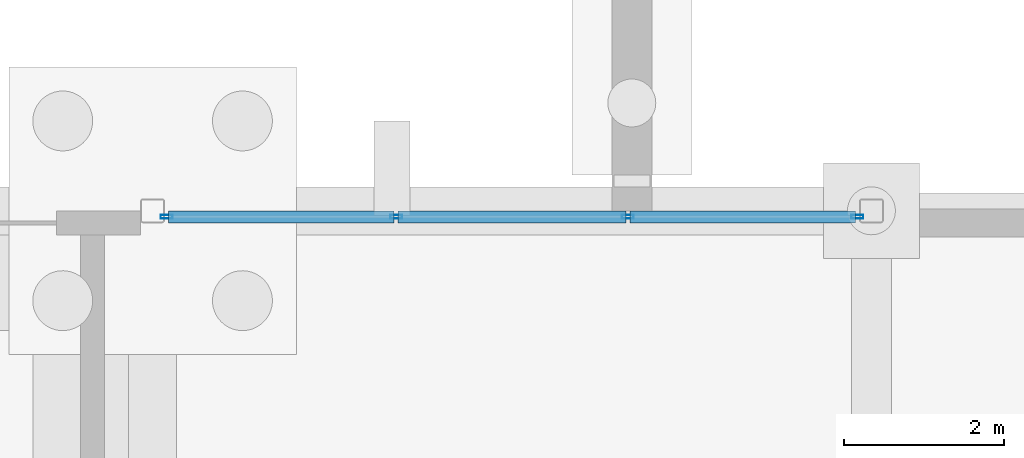
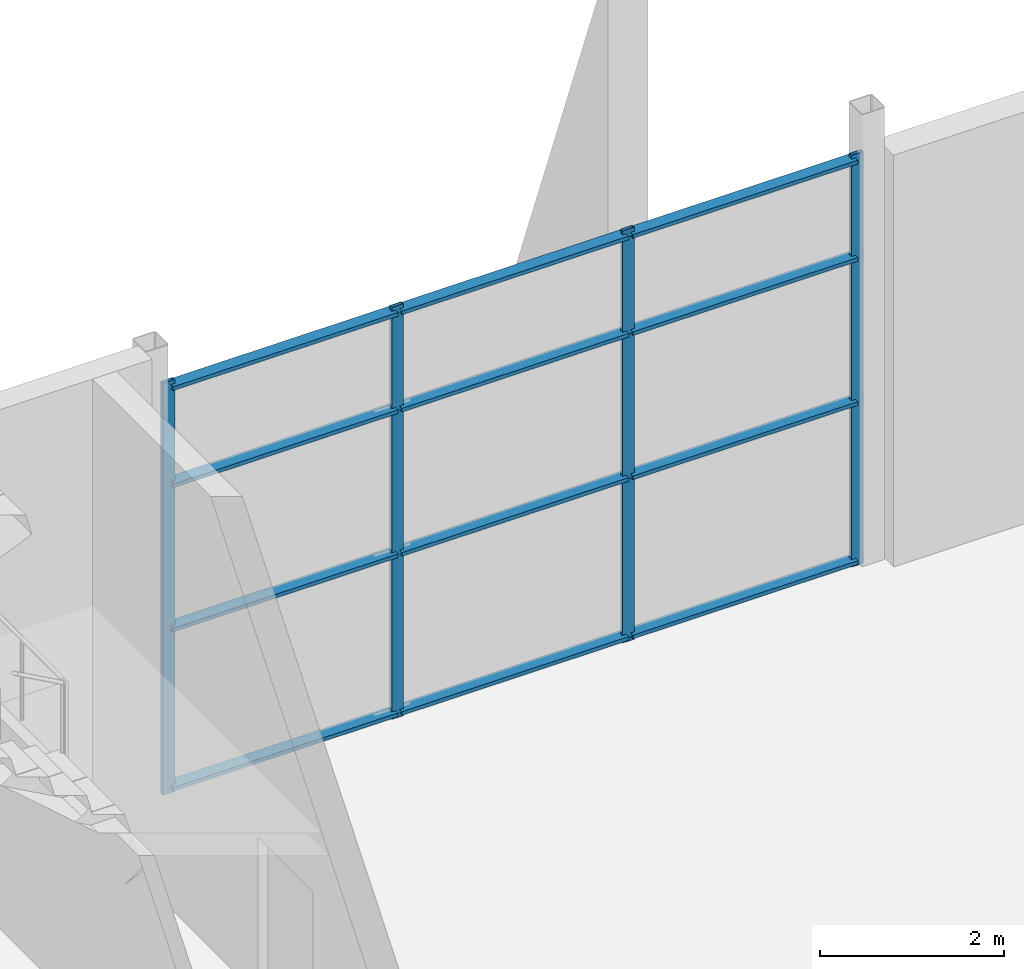
# One storey, part 53 of 139: 16 members, 1 element without a shape of its own.
"""IFC4 building model written with IfcOpenShell, lengths in metres."""

from ifc_helpers import new_model, si_unit, direction, frame, origin, origin_2d, place, context, subcontext, project, spatial, hollow_rectangle, extrude, material, layer, layer_set, material_profile, profile_set, type_object, element, aggregate, save


model = new_model("IFC4")

# Units and contexts
model_context = context("Model", 3, precision=1e-05, world=origin(), true_north=direction((0.0, 1.0)))
body_context = subcontext(model_context, "Body", "Model", "MODEL_VIEW")
ifc_project = project(units=[si_unit("LENGTHUNIT", "METRE"), si_unit("AREAUNIT", "SQUARE_METRE"), si_unit("VOLUMEUNIT", "CUBIC_METRE"), si_unit("PLANEANGLEUNIT", "RADIAN"), si_unit("MASSUNIT", "GRAM", prefix="KILO")], contexts=[model_context])

# Site, building, storey
site_placement = place(None, origin())
site = spatial("IfcSite", under=ifc_project, at=site_placement, CompositionType="ELEMENT")
building_placement = place(site_placement, origin())
building = spatial("IfcBuilding", under=site, at=building_placement, Name="Shorebreak Coast Museum", CompositionType="ELEMENT")
storey_placement = place(building_placement, origin())
storey = spatial("IfcBuildingStorey", under=building, at=storey_placement, Name="L00", CompositionType="ELEMENT", Elevation=0.0)

# Curtain wall, members
ifc_material_1 = material(Name="Aluminium", Category="aluminium")
ifc_layer = layer(ifc_material_1, 0.14990234375)
ifc_layer_set = layer_set([ifc_layer], Name="Aluminium")
curtain_wall_type = type_object("IfcCurtainWallType", Name="Storefront curtain wall", PredefinedType="NOTDEFINED", material=ifc_layer_set)
curtain_wall_placement = place(storey_placement, origin())
curtain_wall = element("IfcCurtainWall", 1, at=curtain_wall_placement, inside=storey, type_object=curtain_wall_type, Name="Storefront L00 N 1", PredefinedType="NOTDEFINED")
ifc_material_2 = material(Name="Aluminium", Category="aluminium")
ifc_material_profile_1 = material_profile(ifc_material_2, hollow_rectangle(XDim=0.050048828125, YDim=0.14990234375, WallThickness=0.00390625, at=origin_2d()), Name="AL 150x50 RHS")
ifc_profile_set_1 = profile_set([ifc_material_profile_1], Name="Aluminium")
member_type_1 = type_object("IfcMemberType", Name="Storefront mullion 50 x 150", PredefinedType="MULLION", material=ifc_profile_set_1)
member_1_placement = place(storey_placement, frame((9.175048828125, 89.925048828125, 0.0), z_axis=(0.0, 0.0, 1.0), x_axis=(0.0, 1.0, 0.0)))
member_1 = element("IfcMember", 2, at=member_1_placement, type_object=member_type_1, Name="CW8 mullion 1", PredefinedType="MULLION", context=body_context, shape_type="SweptSolid", body=[
    extrude(hollow_rectangle(XDim=0.050048828125, YDim=0.14990234375, WallThickness=0.00390625, at=origin_2d()), origin(), (0.0, 0.0, 1.0), 5.469482421875),
])
member_2_placement = place(storey_placement, frame((12.050048828125, 89.925048828125, 0.0), z_axis=(0.0, 0.0, 1.0), x_axis=(0.0, 1.0, 0.0)))
member_2 = element("IfcMember", 3, at=member_2_placement, type_object=member_type_1, Name="CW8 mullion 2", PredefinedType="MULLION", context=body_context, shape_type="SweptSolid", body=[
    extrude(hollow_rectangle(XDim=0.050048828125, YDim=0.14990234375, WallThickness=0.00390625, at=origin_2d()), origin(), (0.0, 0.0, 1.0), 5.469482421875),
])
member_3_placement = place(storey_placement, frame((14.949951171875, 89.925048828125, 0.0), z_axis=(0.0, 0.0, 1.0), x_axis=(0.0, 1.0, 0.0)))
member_3 = element("IfcMember", 4, at=member_3_placement, type_object=member_type_1, Name="CW8 mullion 3", PredefinedType="MULLION", context=body_context, shape_type="SweptSolid", body=[
    extrude(hollow_rectangle(XDim=0.050048828125, YDim=0.14990234375, WallThickness=0.00390625, at=origin_2d()), origin(), (0.0, 0.0, 1.0), 5.469482421875),
])
member_4_placement = place(storey_placement, frame((17.824951171875, 89.925048828125, 0.0), z_axis=(0.0, 0.0, 1.0), x_axis=(0.0, 1.0, 0.0)))
member_4 = element("IfcMember", 5, at=member_4_placement, type_object=member_type_1, Name="CW8 mullion 4", PredefinedType="MULLION", context=body_context, shape_type="SweptSolid", body=[
    extrude(hollow_rectangle(XDim=0.050048828125, YDim=0.14990234375, WallThickness=0.00390625, at=origin_2d()), origin(), (0.0, 0.0, 1.0), 5.469482421875),
])
ifc_material_3 = material(Name="Aluminium", Category="aluminium")
ifc_material_profile_2 = material_profile(ifc_material_3, hollow_rectangle(XDim=0.14990234375, YDim=0.050048828125, WallThickness=0.00390625, at=origin_2d()), Name="AL 50x150 RHS")
ifc_profile_set_2 = profile_set([ifc_material_profile_2], Name="Aluminium")
member_type_2 = type_object("IfcMemberType", Name="Storefront transom 150 x 50", PredefinedType="USERDEFINED", material=ifc_profile_set_2)
member_5_placement = place(storey_placement, frame((9.199951171875, 89.925048828125, 0.074951171875), z_axis=(1.0, 0.0, 0.0), x_axis=(0.0, 1.0, 0.0)))
member_5 = element("IfcMember", 6, at=member_5_placement, type_object=member_type_2, Name="CW8 transom 1.1", ObjectType="TRANSOM", PredefinedType="USERDEFINED", context=body_context, shape_type="SweptSolid", body=[
    extrude(hollow_rectangle(XDim=0.14990234375, YDim=0.050048828125, WallThickness=0.00390625, at=origin_2d()), origin(), (0.0, 0.0, 1.0), 2.824951171875),
])
member_6_placement = place(storey_placement, frame((9.199951171875, 89.925048828125, 2.187744140625), z_axis=(1.0, 0.0, 0.0), x_axis=(0.0, 1.0, 0.0)))
member_6 = element("IfcMember", 7, at=member_6_placement, type_object=member_type_2, Name="CW8 transom 1.2", ObjectType="TRANSOM", PredefinedType="USERDEFINED", context=body_context, shape_type="SweptSolid", body=[
    extrude(hollow_rectangle(XDim=0.14990234375, YDim=0.050048828125, WallThickness=0.00390625, at=origin_2d()), origin(), (0.0, 0.0, 1.0), 2.824951171875),
])
member_7_placement = place(storey_placement, frame((9.199951171875, 89.925048828125, 4.10205078125), z_axis=(1.0, 0.0, 0.0), x_axis=(0.0, 1.0, 0.0)))
member_7 = element("IfcMember", 8, at=member_7_placement, type_object=member_type_2, Name="CW8 transom 1.3", ObjectType="TRANSOM", PredefinedType="USERDEFINED", context=body_context, shape_type="SweptSolid", body=[
    extrude(hollow_rectangle(XDim=0.14990234375, YDim=0.050048828125, WallThickness=0.00390625, at=origin_2d()), origin(), (0.0, 0.0, 1.0), 2.824951171875),
])
member_8_placement = place(storey_placement, frame((9.199951171875, 89.925048828125, 5.394287109375), z_axis=(1.0, 0.0, 0.0), x_axis=(0.0, 1.0, 0.0)))
member_8 = element("IfcMember", 9, at=member_8_placement, type_object=member_type_2, Name="CW8 transom 1.4", ObjectType="TRANSOM", PredefinedType="USERDEFINED", context=body_context, shape_type="SweptSolid", body=[
    extrude(hollow_rectangle(XDim=0.14990234375, YDim=0.050048828125, WallThickness=0.00390625, at=origin_2d()), origin(), (0.0, 0.0, 1.0), 2.824951171875),
])
member_9_placement = place(storey_placement, frame((12.074951171875, 89.925048828125, 0.074951171875), z_axis=(1.0, 0.0, 0.0), x_axis=(0.0, 1.0, 0.0)))
member_9 = element("IfcMember", 10, at=member_9_placement, type_object=member_type_2, Name="CW8 transom 2.1", ObjectType="TRANSOM", PredefinedType="USERDEFINED", context=body_context, shape_type="SweptSolid", body=[
    extrude(hollow_rectangle(XDim=0.14990234375, YDim=0.050048828125, WallThickness=0.00390625, at=origin_2d()), origin(), (0.0, 0.0, 1.0), 2.85009765625),
])
member_10_placement = place(storey_placement, frame((12.074951171875, 89.925048828125, 2.187744140625), z_axis=(1.0, 0.0, 0.0), x_axis=(0.0, 1.0, 0.0)))
member_10 = element("IfcMember", 11, at=member_10_placement, type_object=member_type_2, Name="CW8 transom 2.2", ObjectType="TRANSOM", PredefinedType="USERDEFINED", context=body_context, shape_type="SweptSolid", body=[
    extrude(hollow_rectangle(XDim=0.14990234375, YDim=0.050048828125, WallThickness=0.00390625, at=origin_2d()), origin(), (0.0, 0.0, 1.0), 2.85009765625),
])
member_11_placement = place(storey_placement, frame((12.074951171875, 89.925048828125, 4.10205078125), z_axis=(1.0, 0.0, 0.0), x_axis=(0.0, 1.0, 0.0)))
member_11 = element("IfcMember", 12, at=member_11_placement, type_object=member_type_2, Name="CW8 transom 2.3", ObjectType="TRANSOM", PredefinedType="USERDEFINED", context=body_context, shape_type="SweptSolid", body=[
    extrude(hollow_rectangle(XDim=0.14990234375, YDim=0.050048828125, WallThickness=0.00390625, at=origin_2d()), origin(), (0.0, 0.0, 1.0), 2.85009765625),
])
member_12_placement = place(storey_placement, frame((12.074951171875, 89.925048828125, 5.394287109375), z_axis=(1.0, 0.0, 0.0), x_axis=(0.0, 1.0, 0.0)))
member_12 = element("IfcMember", 13, at=member_12_placement, type_object=member_type_2, Name="CW8 transom 2.4", ObjectType="TRANSOM", PredefinedType="USERDEFINED", context=body_context, shape_type="SweptSolid", body=[
    extrude(hollow_rectangle(XDim=0.14990234375, YDim=0.050048828125, WallThickness=0.00390625, at=origin_2d()), origin(), (0.0, 0.0, 1.0), 2.85009765625),
])
member_13_placement = place(storey_placement, frame((14.97509765625, 89.925048828125, 0.074951171875), z_axis=(1.0, 0.0, 0.0), x_axis=(0.0, 1.0, 0.0)))
member_13 = element("IfcMember", 14, at=member_13_placement, type_object=member_type_2, Name="CW8 transom 3.1", ObjectType="TRANSOM", PredefinedType="USERDEFINED", context=body_context, shape_type="SweptSolid", body=[
    extrude(hollow_rectangle(XDim=0.14990234375, YDim=0.050048828125, WallThickness=0.00390625, at=origin_2d()), origin(), (0.0, 0.0, 1.0), 2.824951171875),
])
member_14_placement = place(storey_placement, frame((14.97509765625, 89.925048828125, 2.187744140625), z_axis=(1.0, 0.0, 0.0), x_axis=(0.0, 1.0, 0.0)))
member_14 = element("IfcMember", 15, at=member_14_placement, type_object=member_type_2, Name="CW8 transom 3.2", ObjectType="TRANSOM", PredefinedType="USERDEFINED", context=body_context, shape_type="SweptSolid", body=[
    extrude(hollow_rectangle(XDim=0.14990234375, YDim=0.050048828125, WallThickness=0.00390625, at=origin_2d()), origin(), (0.0, 0.0, 1.0), 2.824951171875),
])
member_15_placement = place(storey_placement, frame((14.97509765625, 89.925048828125, 4.10205078125), z_axis=(1.0, 0.0, 0.0), x_axis=(0.0, 1.0, 0.0)))
member_15 = element("IfcMember", 16, at=member_15_placement, type_object=member_type_2, Name="CW8 transom 3.3", ObjectType="TRANSOM", PredefinedType="USERDEFINED", context=body_context, shape_type="SweptSolid", body=[
    extrude(hollow_rectangle(XDim=0.14990234375, YDim=0.050048828125, WallThickness=0.00390625, at=origin_2d()), origin(), (0.0, 0.0, 1.0), 2.824951171875),
])
member_16_placement = place(storey_placement, frame((14.97509765625, 89.925048828125, 5.394287109375), z_axis=(1.0, 0.0, 0.0), x_axis=(0.0, 1.0, 0.0)))
member_16 = element("IfcMember", 17, at=member_16_placement, type_object=member_type_2, Name="CW8 transom 3.4", ObjectType="TRANSOM", PredefinedType="USERDEFINED", context=body_context, shape_type="SweptSolid", body=[
    extrude(hollow_rectangle(XDim=0.14990234375, YDim=0.050048828125, WallThickness=0.00390625, at=origin_2d()), origin(), (0.0, 0.0, 1.0), 2.824951171875),
])
aggregate(curtain_wall, [member_1, member_2, member_3, member_4, member_5, member_6, member_7, member_8, member_9, member_10, member_11, member_12, member_13, member_14, member_15, member_16])

save(model, "model.ifc")
